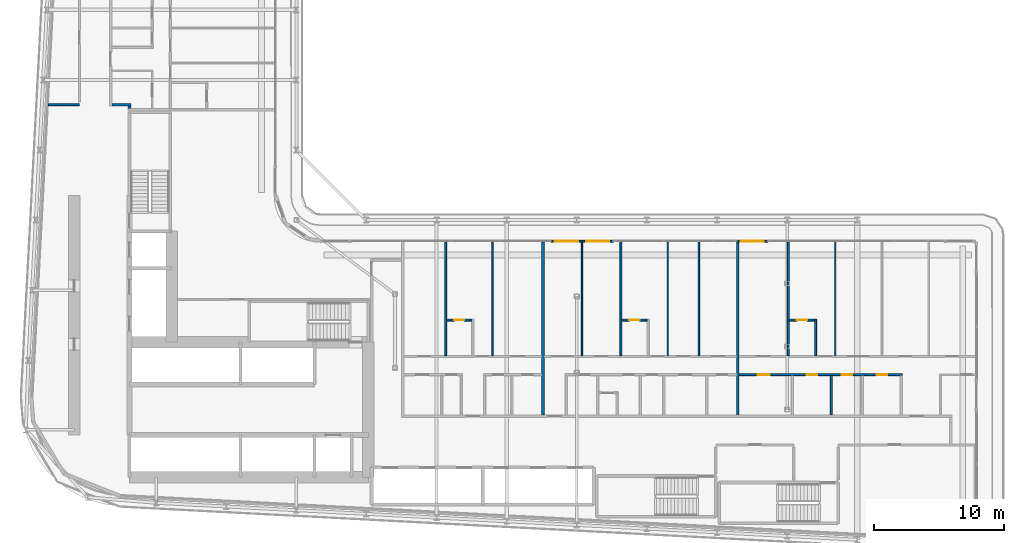
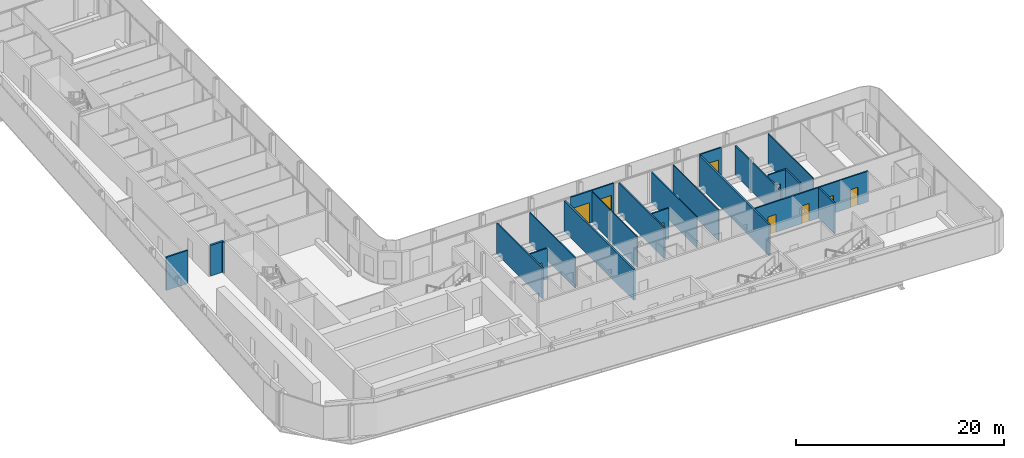
# One storey, part 17 of 29: 22 walls, 10 doors, 10 openings.
"""IFC4 building model written with IfcOpenShell, lengths in metres."""

from ifc_helpers import new_model, si_unit, direction, frame, frame_2d, origin, place, context, subcontext, project, spatial, rectangle, extrude, source, transform, mapped, material, layer, layer_set, type_object, element, fill, save


model = new_model("IFC4")

# Units and contexts
model_context = context("Model", 3, precision=1e-05, world=origin(), true_north=direction((0.0, 1.0)))
body_context = subcontext(model_context, "Body", "Model", "MODEL_VIEW")
ifc_project = project(units=[si_unit("LENGTHUNIT", "METRE"), si_unit("AREAUNIT", "SQUARE_METRE"), si_unit("VOLUMEUNIT", "CUBIC_METRE"), si_unit("PLANEANGLEUNIT", "RADIAN"), si_unit("MASSUNIT", "GRAM", prefix="KILO")], contexts=[model_context])

# Site, building, storey
site_placement = place(None, origin())
site = spatial("IfcSite", under=ifc_project, at=site_placement, CompositionType="ELEMENT")
building_placement = place(site_placement, origin())
building = spatial("IfcBuilding", under=site, at=building_placement, Name="Kheshtan School and Residences Tower", CompositionType="ELEMENT")
storey_placement = place(building_placement, frame((0.0, 0.0, 121.39990234375)))
storey = spatial("IfcBuildingStorey", under=building, at=storey_placement, Name="L28", CompositionType="ELEMENT", Elevation=121.39990234375)

# Walls
ifc_material_1 = material(Name="Gypsum board on steel studs with fire boards", Category="steel")
ifc_layer_1 = layer(ifc_material_1, 0.199951171875)
ifc_layer_set_1 = layer_set([ifc_layer_1], Name="Corridor wall 200")
wall_type_1 = type_object("IfcWallType", Name="Corridor wall 200", PredefinedType="PARTITIONING", material=ifc_layer_set_1)
wall_1_placement = place(storey_placement, frame((33.39990234375, 54.5, 0.0), z_axis=(0.0, 0.0, 1.0), x_axis=(1.0, 0.0, 0.0)))
element("IfcWall", 1, at=wall_1_placement, inside=storey, type_object=wall_type_1, Name="Partition L28-005", PredefinedType="PARTITIONING", context=body_context, shape_type="SweptSolid", body=[
    extrude(rectangle(XDim=1.4501953125, YDim=0.199951171875, at=frame_2d((0.72509765625, 0.0))), origin(), (0.0, 0.0, 1.0), 3.60009765625),
])
wall_2_placement = place(storey_placement, frame((34.75, 54.199951171875, 0.0), z_axis=(0.0, 0.0, 1.0), x_axis=(0.0, 1.0, 0.0)))
element("IfcWall", 2, at=wall_2_placement, inside=storey, type_object=wall_type_1, Name="Partition L28-020", PredefinedType="PARTITIONING", context=body_context, shape_type="SweptSolid", body=[
    extrude(rectangle(XDim=0.199951171875, YDim=0.199951171875, at=frame_2d((0.10009765625, 0.0))), origin(), (0.0, 0.0, 1.0), 3.60009765625),
])

# Wall, opening, door
ifc_material_2 = material(Name="Aluminium frame wall with insulated infill", Category="aluminium")
ifc_layer_2 = layer(ifc_material_2, 0.14990234375)
ifc_layer_set_2 = layer_set([ifc_layer_2], Name="Glazing frame wall 150")
wall_type_2 = type_object("IfcWallType", Name="Glazing frame wall 150", PredefinedType="SOLIDWALL", material=ifc_layer_set_2)
wall_3_placement = place(storey_placement, frame((67.218017578125, 43.97509765625, 0.0), z_axis=(0.0, 0.0, 1.0), x_axis=(1.0, 0.0, 0.0)))
wall_3 = element("IfcWall", 3, at=wall_3_placement, inside=storey, type_object=wall_type_2, Name="Balcony door wall L28 12.2", PredefinedType="SOLIDWALL", context=body_context, shape_type="SweptSolid", body=[
    extrude(rectangle(XDim=2.39990234375, YDim=0.14990234375, at=frame_2d((1.199951171875, 0.0))), origin(), (0.0, 0.0, 1.0), 3.75),
])
opening_1_placement = place(wall_3_placement, frame((0.300048828125, 0.0, 0.0)))
opening_1 = element("IfcOpeningElement", 4, at=opening_1_placement, cuts=wall_3, Name="Opening BD", PredefinedType="OPENING", context=body_context, shape_type="SweptSolid", body=[
    extrude(rectangle(XDim=1.800048828125, YDim=2.39990234375, at=frame_2d((0.89990234375, 1.199951171875))), frame((0.0, 0.0849609375, 0.0), z_axis=(0.0, -1.0, 0.0), x_axis=(1.0, 0.0, 0.0)), (0.0, 0.0, 1.0), 0.169921875),
])
ifc_material_3 = material(Name="Clear low-e glass in thermally broken aluminium frame", Category="aluminium")
door_type_1 = type_object("IfcDoorType", Name="Balcony sliding door", OperationType="SLIDING_TO_LEFT", PredefinedType="DOOR", material=ifc_material_3)
shared_shape_1 = source(origin(), body_context, "Body", "SweptSolid", [
    extrude(rectangle(XDim=1.800048828125, YDim=2.39990234375, at=frame_2d((0.89990234375, 1.199951171875))), frame((0.0, 0.02490234375, 0.0), z_axis=(0.0, -1.0, 0.0), x_axis=(1.0, 0.0, 0.0)), (0.0, 0.0, 1.0), 0.050048828125),
])
door_1_placement = place(opening_1_placement, origin())
door_1 = element("IfcDoor", 5, at=door_1_placement, inside=storey, type_object=door_type_1, Name="Balcony door L28 12.2", OperationType="SLIDING_TO_LEFT", OverallHeight=2.39990234375, OverallWidth=1.800048828125, PredefinedType="DOOR", context=body_context, shape_type="MappedRepresentation", body=[
    mapped(shared_shape_1, transform((0.0, 0.0, 0.0), x_axis=(1.0, 0.0, 0.0), y_axis=(0.0, 1.0, 0.0), z_axis=(0.0, 0.0, 1.0), scale=1.0)),
])
fill(opening_1, door_1)

wall_4_placement = place(storey_placement, frame((69.617919921875, 43.97509765625, 0.0), z_axis=(0.0, 0.0, 1.0), x_axis=(1.0, 0.0, 0.0)))
wall_4 = element("IfcWall", 6, at=wall_4_placement, inside=storey, type_object=wall_type_2, Name="Balcony door wall L28 12.3", PredefinedType="SOLIDWALL", context=body_context, shape_type="SweptSolid", body=[
    extrude(rectangle(XDim=2.400146484375, YDim=0.14990234375, at=frame_2d((1.2001953125, 0.0))), origin(), (0.0, 0.0, 1.0), 3.75),
])
opening_2_placement = place(wall_4_placement, frame((0.300048828125, 0.0, 0.0)))
opening_2 = element("IfcOpeningElement", 7, at=opening_2_placement, cuts=wall_4, Name="Opening BD", PredefinedType="OPENING", context=body_context, shape_type="SweptSolid", body=[
    extrude(rectangle(XDim=1.800048828125, YDim=2.39990234375, at=frame_2d((0.89990234375, 1.199951171875))), frame((0.0, 0.0849609375, 0.0), z_axis=(0.0, -1.0, 0.0), x_axis=(1.0, 0.0, 0.0)), (0.0, 0.0, 1.0), 0.169921875),
])
door_2_placement = place(opening_2_placement, origin())
door_2 = element("IfcDoor", 8, at=door_2_placement, inside=storey, type_object=door_type_1, Name="Balcony door L28 12.3", OperationType="SLIDING_TO_LEFT", OverallHeight=2.39990234375, OverallWidth=1.800048828125, PredefinedType="DOOR", context=body_context, shape_type="MappedRepresentation", body=[
    mapped(shared_shape_1, transform((0.0, 0.0, 0.0), x_axis=(1.0, 0.0, 0.0), y_axis=(0.0, 1.0, 0.0), z_axis=(0.0, 0.0, 1.0), scale=1.0)),
])
fill(opening_2, door_2)

wall_5_placement = place(storey_placement, frame((81.511962890625, 43.97509765625, 0.0), z_axis=(0.0, 0.0, 1.0), x_axis=(1.0, 0.0, 0.0)))
wall_5 = element("IfcWall", 9, at=wall_5_placement, inside=storey, type_object=wall_type_2, Name="Balcony door wall L28 12.4", PredefinedType="SOLIDWALL", context=body_context, shape_type="SweptSolid", body=[
    extrude(rectangle(XDim=2.400146484375, YDim=0.14990234375, at=frame_2d((1.2001953125, 0.0))), origin(), (0.0, 0.0, 1.0), 3.75),
])
opening_3_placement = place(wall_5_placement, frame((0.300048828125, 0.0, 0.0)))
opening_3 = element("IfcOpeningElement", 10, at=opening_3_placement, cuts=wall_5, Name="Opening BD", PredefinedType="OPENING", context=body_context, shape_type="SweptSolid", body=[
    extrude(rectangle(XDim=1.800048828125, YDim=2.39990234375, at=frame_2d((0.89990234375, 1.199951171875))), frame((0.0, 0.0849609375, 0.0), z_axis=(0.0, -1.0, 0.0), x_axis=(1.0, 0.0, 0.0)), (0.0, 0.0, 1.0), 0.169921875),
])
door_3_placement = place(opening_3_placement, origin())
door_3 = element("IfcDoor", 11, at=door_3_placement, inside=storey, type_object=door_type_1, Name="Balcony door L28 12.4", OperationType="SLIDING_TO_LEFT", OverallHeight=2.39990234375, OverallWidth=1.800048828125, PredefinedType="DOOR", context=body_context, shape_type="MappedRepresentation", body=[
    mapped(shared_shape_1, transform((0.0, 0.0, 0.0), x_axis=(1.0, 0.0, 0.0), y_axis=(0.0, 1.0, 0.0), z_axis=(0.0, 0.0, 1.0), scale=1.0)),
])
fill(opening_3, door_3)

# Walls
ifc_material_4 = material(Name="Gypsum board on steel studs", Category="steel")
ifc_layer_3 = layer(ifc_material_4, 0.10009765625)
ifc_layer_set_3 = layer_set([ifc_layer_3], Name="Gypsum partition 100")
wall_type_3 = type_object("IfcWallType", Name="Gypsum partition 100", PredefinedType="PARTITIONING", material=ifc_layer_set_3)
for number, where, z_axis, x_axis, name in (
    (12, (62.699951171875, 35.175048828125, 0.0), (0.0, 0.0, 1.0), (0.0, 1.0, 0.0), "Partition L28-061"),
    (13, (69.60009765625, 35.175048828125, 0.0), (0.0, 0.0, 1.0), (0.0, 1.0, 0.0), "Partition L28-067"),
    (14, (76.199951171875, 35.175048828125, 0.0), (0.0, 0.0, 1.0), (0.0, 1.0, 0.0), "Partition L28-076"),
    (15, (78.60009765625, 35.175048828125, 0.0), (0.0, 0.0, 1.0), (0.0, 1.0, 0.0), "Partition L28-077"),
    (16, (89.10009765625, 35.175048828125, 0.0), (0.0, 0.0, 1.0), (0.0, 1.0, 0.0), "Partition L28-087"),
):
    element("IfcWall", number, at=place(storey_placement, frame(where, z_axis=z_axis, x_axis=x_axis)), inside=storey, type_object=wall_type_3, Name=name, PredefinedType="PARTITIONING", context=body_context, shape_type="SweptSolid", body=[
        extrude(rectangle(XDim=8.724853515625, YDim=0.10009765625, at=frame_2d((4.3623046875, 0.0))), origin(), (0.0, 0.0, 1.0), 3.60009765625),
    ])
ifc_material_5 = material(Name="Fire-board shaft wall system")
ifc_layer_4 = layer(ifc_material_5, 0.14990234375)
ifc_layer_set_4 = layer_set([ifc_layer_4], Name="Service room wall 150")
wall_type_4 = type_object("IfcWallType", Name="Service room wall 150", PredefinedType="PARTITIONING", material=ifc_layer_set_4)
wall_6_placement = place(storey_placement, frame((28.508056640625, 54.5, 0.0), z_axis=(0.0, 0.0, 1.0), x_axis=(1.0, 0.0, 0.0)))
element("IfcWall", 17, at=wall_6_placement, inside=storey, type_object=wall_type_4, Name="Service room wall", PredefinedType="PARTITIONING", context=body_context, shape_type="SweptSolid", body=[
    extrude(rectangle(XDim=2.391845703125, YDim=0.14990234375, at=frame_2d((1.19580078125, 0.0))), origin(), (0.0, 0.0, 1.0), 3.900146484375),
])
ifc_material_6 = material(Name="Twin gypsum board on steel studs with mineral wool", Category="steel")
ifc_layer_5 = layer(ifc_material_6, 0.199951171875)
ifc_layer_set_5 = layer_set([ifc_layer_5], Name="Unit demising wall 200")
wall_type_5 = type_object("IfcWallType", Name="Unit demising wall 200", PredefinedType="PARTITIONING", material=ifc_layer_set_5)
for number, where, z_axis, x_axis, name in (
    (18, (66.60009765625, 30.60009765625, 0.0), (0.0, 0.0, 1.0), (0.0, 1.0, 0.0), "Partition L28-063"),
    (19, (81.60009765625, 30.60009765625, 0.0), (0.0, 0.0, 1.0), (0.0, 1.0, 0.0), "Partition L28-079"),
):
    element("IfcWall", number, at=place(storey_placement, frame(where, z_axis=z_axis, x_axis=x_axis)), inside=storey, type_object=wall_type_5, Name=name, PredefinedType="PARTITIONING", context=body_context, shape_type="SweptSolid", body=[
        extrude(rectangle(XDim=13.2998046875, YDim=0.199951171875, at=frame_2d((6.64990234375, 0.0))), origin(), (0.0, 0.0, 1.0), 3.60009765625),
    ])
ifc_material_7 = material(Name="Moisture-resistant gypsum board on steel studs", Category="steel")
ifc_layer_6 = layer(ifc_material_7, 0.14990234375)
ifc_layer_set_6 = layer_set([ifc_layer_6], Name="Wet-room partition 150")
wall_type_6 = type_object("IfcWallType", Name="Wet-room partition 150", PredefinedType="PARTITIONING", material=ifc_layer_set_6)
wall_7_placement = place(storey_placement, frame((59.10009765625, 35.175048828125, 0.0), z_axis=(0.0, 0.0, 1.0), x_axis=(0.0, 1.0, 0.0)))
element("IfcWall", 20, at=wall_7_placement, inside=storey, type_object=wall_type_6, Name="Partition L28-055", PredefinedType="PARTITIONING", context=body_context, shape_type="SweptSolid", body=[
    extrude(rectangle(XDim=8.724853515625, YDim=0.14990234375, at=frame_2d((4.3623046875, 0.0))), origin(), (0.0, 0.0, 1.0), 3.60009765625),
])

# Wall, opening, door
wall_8_placement = place(storey_placement, frame((59.175048828125, 37.89990234375, 0.0), z_axis=(0.0, 0.0, 1.0), x_axis=(1.0, 0.0, 0.0)))
wall_8 = element("IfcWall", 21, at=wall_8_placement, inside=storey, type_object=wall_type_6, Name="Partition L28-056", PredefinedType="PARTITIONING", context=body_context, shape_type="SweptSolid", body=[
    extrude(rectangle(XDim=1.949951171875, YDim=0.14990234375, at=frame_2d((0.97509765625, 0.0))), origin(), (0.0, 0.0, 1.0), 3.60009765625),
])
opening_4_placement = place(wall_8_placement, frame((0.574951171875, 0.0, 0.0)))
opening_4 = element("IfcOpeningElement", 22, at=opening_4_placement, cuts=wall_8, Name="Opening D27-004", PredefinedType="OPENING", context=body_context, shape_type="SweptSolid", body=[
    extrude(rectangle(XDim=0.800048828125, YDim=2.10009765625, at=frame_2d((0.39990234375, 1.050048828125))), frame((0.0, 0.0849609375, 0.0), z_axis=(0.0, -1.0, 0.0), x_axis=(1.0, 0.0, 0.0)), (0.0, 0.0, 1.0), 0.169921875),
])
ifc_material_8 = material(Name="Veneered timber door leaf", Category="wood")
door_type_2 = type_object("IfcDoorType", Name="Door 800 x 2100", OperationType="SINGLE_SWING_LEFT", PredefinedType="DOOR", material=ifc_material_8)
shared_shape_2 = source(origin(), body_context, "Body", "SweptSolid", [
    extrude(rectangle(XDim=0.800048828125, YDim=2.10009765625, at=frame_2d((0.39990234375, 1.050048828125))), frame((0.0, 0.02490234375, 0.0), z_axis=(0.0, -1.0, 0.0), x_axis=(1.0, 0.0, 0.0)), (0.0, 0.0, 1.0), 0.050048828125),
])
door_4_placement = place(opening_4_placement, origin())
door_4 = element("IfcDoor", 23, at=door_4_placement, inside=storey, type_object=door_type_2, Name="Door D27-004", OperationType="SINGLE_SWING_LEFT", OverallHeight=2.10009765625, OverallWidth=0.800048828125, PredefinedType="DOOR", context=body_context, shape_type="MappedRepresentation", body=[
    mapped(shared_shape_2, transform((0.0, 0.0, 0.0), x_axis=(1.0, 0.0, 0.0), y_axis=(0.0, 1.0, 0.0), z_axis=(0.0, 0.0, 1.0), scale=1.0)),
])
fill(opening_4, door_4)

# Wall
wall_9_placement = place(storey_placement, frame((72.60009765625, 35.175048828125, 0.0), z_axis=(0.0, 0.0, 1.0), x_axis=(0.0, 1.0, 0.0)))
element("IfcWall", 24, at=wall_9_placement, inside=storey, type_object=wall_type_6, Name="Partition L28-071", PredefinedType="PARTITIONING", context=body_context, shape_type="SweptSolid", body=[
    extrude(rectangle(XDim=8.724853515625, YDim=0.14990234375, at=frame_2d((4.3623046875, 0.0))), origin(), (0.0, 0.0, 1.0), 3.60009765625),
])

# Wall, opening, door
wall_10_placement = place(storey_placement, frame((72.675048828125, 37.89990234375, 0.0), z_axis=(0.0, 0.0, 1.0), x_axis=(1.0, 0.0, 0.0)))
wall_10 = element("IfcWall", 25, at=wall_10_placement, inside=storey, type_object=wall_type_6, Name="Partition L28-072", PredefinedType="PARTITIONING", context=body_context, shape_type="SweptSolid", body=[
    extrude(rectangle(XDim=1.949951171875, YDim=0.14990234375, at=frame_2d((0.97509765625, 0.0))), origin(), (0.0, 0.0, 1.0), 3.60009765625),
])
opening_5_placement = place(wall_10_placement, frame((0.574951171875, 0.0, 0.0)))
opening_5 = element("IfcOpeningElement", 26, at=opening_5_placement, cuts=wall_10, Name="Opening D27-014", PredefinedType="OPENING", context=body_context, shape_type="SweptSolid", body=[
    extrude(rectangle(XDim=0.800048828125, YDim=2.10009765625, at=frame_2d((0.39990234375, 1.050048828125))), frame((0.0, 0.0849609375, 0.0), z_axis=(0.0, -1.0, 0.0), x_axis=(1.0, 0.0, 0.0)), (0.0, 0.0, 1.0), 0.169921875),
])
door_5_placement = place(opening_5_placement, origin())
door_5 = element("IfcDoor", 27, at=door_5_placement, inside=storey, type_object=door_type_2, Name="Door D27-014", OperationType="SINGLE_SWING_LEFT", OverallHeight=2.10009765625, OverallWidth=0.800048828125, PredefinedType="DOOR", context=body_context, shape_type="MappedRepresentation", body=[
    mapped(shared_shape_2, transform((0.0, 0.0, 0.0), x_axis=(1.0, 0.0, 0.0), y_axis=(0.0, 1.0, 0.0), z_axis=(0.0, 0.0, 1.0), scale=1.0)),
])
fill(opening_5, door_5)

# Wall, openings, doors
wall_11_placement = place(storey_placement, frame((81.699951171875, 33.699951171875, 0.0), z_axis=(0.0, 0.0, 1.0), x_axis=(1.0, 0.0, 0.0)))
wall_11 = element("IfcWall", 28, at=wall_11_placement, inside=storey, type_object=wall_type_6, Name="Partition L28-080", PredefinedType="PARTITIONING", context=body_context, shape_type="SweptSolid", body=[
    extrude(rectangle(XDim=12.574951171875, YDim=0.14990234375, at=frame_2d((6.28759765625, 0.0))), origin(), (0.0, 0.0, 1.0), 3.60009765625),
])
opening_6_placement = place(wall_11_placement, frame((5.199951171875, 0.0, 0.0)))
opening_6 = element("IfcOpeningElement", 29, at=opening_6_placement, cuts=wall_11, Name="Opening D27-023", PredefinedType="OPENING", context=body_context, shape_type="SweptSolid", body=[
    extrude(rectangle(XDim=0.800048828125, YDim=2.10009765625, at=frame_2d((0.39990234375, 1.050048828125))), frame((0.0, 0.0849609375, 0.0), z_axis=(0.0, -1.0, 0.0), x_axis=(1.0, 0.0, 0.0)), (0.0, 0.0, 1.0), 0.169921875),
])
opening_7_placement = place(wall_11_placement, frame((10.60009765625, 0.0, 0.0)))
opening_7 = element("IfcOpeningElement", 30, at=opening_7_placement, cuts=wall_11, Name="Opening D27-024", PredefinedType="OPENING", context=body_context, shape_type="SweptSolid", body=[
    extrude(rectangle(XDim=0.800048828125, YDim=2.10009765625, at=frame_2d((0.39990234375, 1.050048828125))), frame((0.0, 0.0849609375, 0.0), z_axis=(0.0, -1.0, 0.0), x_axis=(1.0, 0.0, 0.0)), (0.0, 0.0, 1.0), 0.169921875),
])
opening_8_placement = place(wall_11_placement, frame((1.449951171875, 0.0, 0.0)))
opening_8 = element("IfcOpeningElement", 31, at=opening_8_placement, cuts=wall_11, Name="Opening D27-030", PredefinedType="OPENING", context=body_context, shape_type="SweptSolid", body=[
    extrude(rectangle(XDim=0.89990234375, YDim=2.10009765625, at=frame_2d((0.449951171875, 1.050048828125))), frame((0.0, 0.0849609375, 0.0), z_axis=(0.0, -1.0, 0.0), x_axis=(1.0, 0.0, 0.0)), (0.0, 0.0, 1.0), 0.169921875),
])
opening_9_placement = place(wall_11_placement, frame((7.89990234375, 0.0, 0.0)))
opening_9 = element("IfcOpeningElement", 32, at=opening_9_placement, cuts=wall_11, Name="Opening D27-034", PredefinedType="OPENING", context=body_context, shape_type="SweptSolid", body=[
    extrude(rectangle(XDim=0.800048828125, YDim=2.10009765625, at=frame_2d((0.39990234375, 1.050048828125))), frame((0.0, 0.0849609375, 0.0), z_axis=(0.0, -1.0, 0.0), x_axis=(1.0, 0.0, 0.0)), (0.0, 0.0, 1.0), 0.169921875),
])
door_6_placement = place(opening_6_placement, origin())
door_6 = element("IfcDoor", 33, at=door_6_placement, inside=storey, type_object=door_type_2, Name="Door D27-023", OperationType="SINGLE_SWING_LEFT", OverallHeight=2.10009765625, OverallWidth=0.800048828125, PredefinedType="DOOR", context=body_context, shape_type="MappedRepresentation", body=[
    mapped(shared_shape_2, transform((0.0, 0.0, 0.0), x_axis=(1.0, 0.0, 0.0), y_axis=(0.0, 1.0, 0.0), z_axis=(0.0, 0.0, 1.0), scale=1.0)),
])
fill(opening_6, door_6)
door_7_placement = place(opening_7_placement, origin())
door_7 = element("IfcDoor", 34, at=door_7_placement, inside=storey, type_object=door_type_2, Name="Door D27-024", OperationType="SINGLE_SWING_LEFT", OverallHeight=2.10009765625, OverallWidth=0.800048828125, PredefinedType="DOOR", context=body_context, shape_type="MappedRepresentation", body=[
    mapped(shared_shape_2, transform((0.0, 0.0, 0.0), x_axis=(1.0, 0.0, 0.0), y_axis=(0.0, 1.0, 0.0), z_axis=(0.0, 0.0, 1.0), scale=1.0)),
])
fill(opening_7, door_7)
door_8_placement = place(opening_9_placement, origin())
door_8 = element("IfcDoor", 35, at=door_8_placement, inside=storey, type_object=door_type_2, Name="Door D27-034", OperationType="SINGLE_SWING_RIGHT", OverallHeight=2.10009765625, OverallWidth=0.800048828125, PredefinedType="DOOR", context=body_context, shape_type="MappedRepresentation", body=[
    mapped(shared_shape_2, transform((0.0, 0.0, 0.0), x_axis=(1.0, 0.0, 0.0), y_axis=(0.0, 1.0, 0.0), z_axis=(0.0, 0.0, 1.0), scale=1.0)),
])
fill(opening_9, door_8)
door_type_3 = type_object("IfcDoorType", Name="Door 900 x 2100", OperationType="SINGLE_SWING_LEFT", PredefinedType="DOOR", material=ifc_material_8)
shared_shape_3 = source(origin(), body_context, "Body", "SweptSolid", [
    extrude(rectangle(XDim=0.89990234375, YDim=2.10009765625, at=frame_2d((0.449951171875, 1.050048828125))), frame((0.0, 0.02490234375, 0.0), z_axis=(0.0, -1.0, 0.0), x_axis=(1.0, 0.0, 0.0)), (0.0, 0.0, 1.0), 0.050048828125),
])
door_9_placement = place(opening_8_placement, origin())
door_9 = element("IfcDoor", 36, at=door_9_placement, inside=storey, type_object=door_type_3, Name="Door D27-030", OperationType="SINGLE_SWING_LEFT", OverallHeight=2.10009765625, OverallWidth=0.89990234375, PredefinedType="DOOR", context=body_context, shape_type="MappedRepresentation", body=[
    mapped(shared_shape_3, transform((0.0, 0.0, 0.0), x_axis=(1.0, 0.0, 0.0), y_axis=(0.0, 1.0, 0.0), z_axis=(0.0, 0.0, 1.0), scale=1.0)),
])
fill(opening_8, door_9)

# Wall
wall_12_placement = place(storey_placement, frame((85.5, 35.175048828125, 0.0), z_axis=(0.0, 0.0, 1.0), x_axis=(0.0, 1.0, 0.0)))
element("IfcWall", 37, at=wall_12_placement, inside=storey, type_object=wall_type_6, Name="Partition L28-082", PredefinedType="PARTITIONING", context=body_context, shape_type="SweptSolid", body=[
    extrude(rectangle(XDim=8.724853515625, YDim=0.14990234375, at=frame_2d((4.3623046875, 0.0))), origin(), (0.0, 0.0, 1.0), 3.447021484375),
])

# Wall, opening, door
wall_13_placement = place(storey_placement, frame((85.574951171875, 37.89990234375, 0.0), z_axis=(0.0, 0.0, 1.0), x_axis=(1.0, 0.0, 0.0)))
wall_13 = element("IfcWall", 38, at=wall_13_placement, inside=storey, type_object=wall_type_6, Name="Partition L28-083", PredefinedType="PARTITIONING", context=body_context, shape_type="SweptSolid", body=[
    extrude(rectangle(XDim=1.949951171875, YDim=0.14990234375, at=frame_2d((0.97509765625, 0.0))), origin(), (0.0, 0.0, 1.0), 3.60009765625),
])
opening_10_placement = place(wall_13_placement, frame((0.574951171875, 0.0, 0.0)))
opening_10 = element("IfcOpeningElement", 39, at=opening_10_placement, cuts=wall_13, Name="Opening D27-028", PredefinedType="OPENING", context=body_context, shape_type="SweptSolid", body=[
    extrude(rectangle(XDim=0.800048828125, YDim=2.10009765625, at=frame_2d((0.39990234375, 1.050048828125))), frame((0.0, 0.0849609375, 0.0), z_axis=(0.0, -1.0, 0.0), x_axis=(1.0, 0.0, 0.0)), (0.0, 0.0, 1.0), 0.169921875),
])
door_10_placement = place(opening_10_placement, origin())
door_10 = element("IfcDoor", 40, at=door_10_placement, inside=storey, type_object=door_type_2, Name="Door D27-028", OperationType="SINGLE_SWING_LEFT", OverallHeight=2.10009765625, OverallWidth=0.800048828125, PredefinedType="DOOR", context=body_context, shape_type="MappedRepresentation", body=[
    mapped(shared_shape_2, transform((0.0, 0.0, 0.0), x_axis=(1.0, 0.0, 0.0), y_axis=(0.0, 1.0, 0.0), z_axis=(0.0, 0.0, 1.0), scale=1.0)),
])
fill(opening_10, door_10)

# Walls
wall_14_placement = place(storey_placement, frame((87.60009765625, 35.175048828125, 0.0), z_axis=(0.0, 0.0, 1.0), x_axis=(0.0, 1.0, 0.0)))
element("IfcWall", 41, at=wall_14_placement, inside=storey, type_object=wall_type_6, Name="Partition L28-085", PredefinedType="PARTITIONING", context=body_context, shape_type="SweptSolid", body=[
    extrude(rectangle(XDim=2.800048828125, YDim=0.14990234375, at=frame_2d((1.39990234375, 0.0))), origin(), (0.0, 0.0, 1.0), 3.60009765625),
])
wall_15_placement = place(storey_placement, frame((88.800048828125, 30.60009765625, 0.0), z_axis=(0.0, 0.0, 1.0), x_axis=(0.0, 1.0, 0.0)))
element("IfcWall", 42, at=wall_15_placement, inside=storey, type_object=wall_type_6, Name="Partition L28-086", PredefinedType="PARTITIONING", context=body_context, shape_type="SweptSolid", body=[
    extrude(rectangle(XDim=3.02490234375, YDim=0.14990234375, at=frame_2d((1.512451171875, 0.0))), origin(), (0.0, 0.0, 1.0), 3.60009765625),
])

save(model, "model.ifc")
